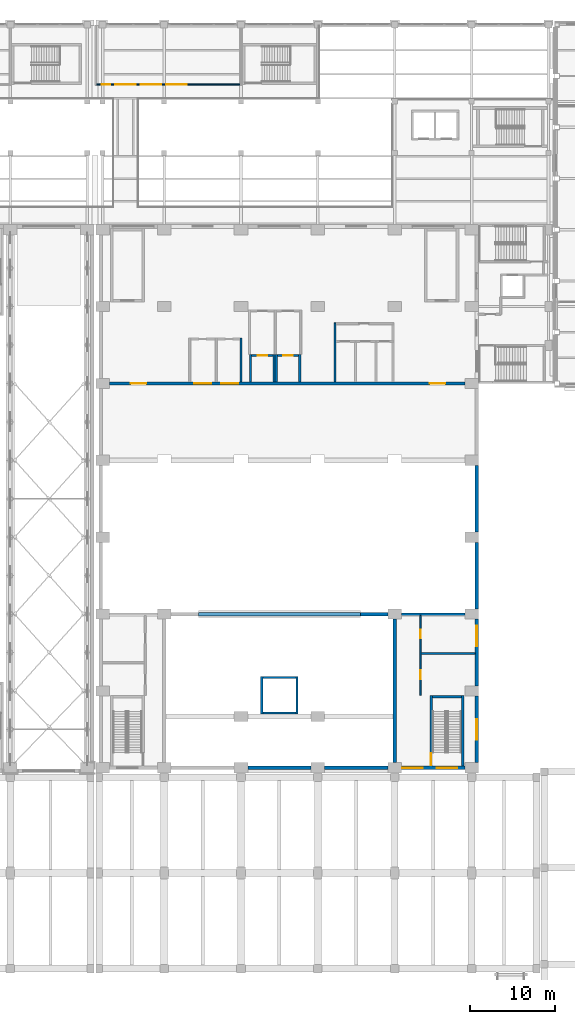
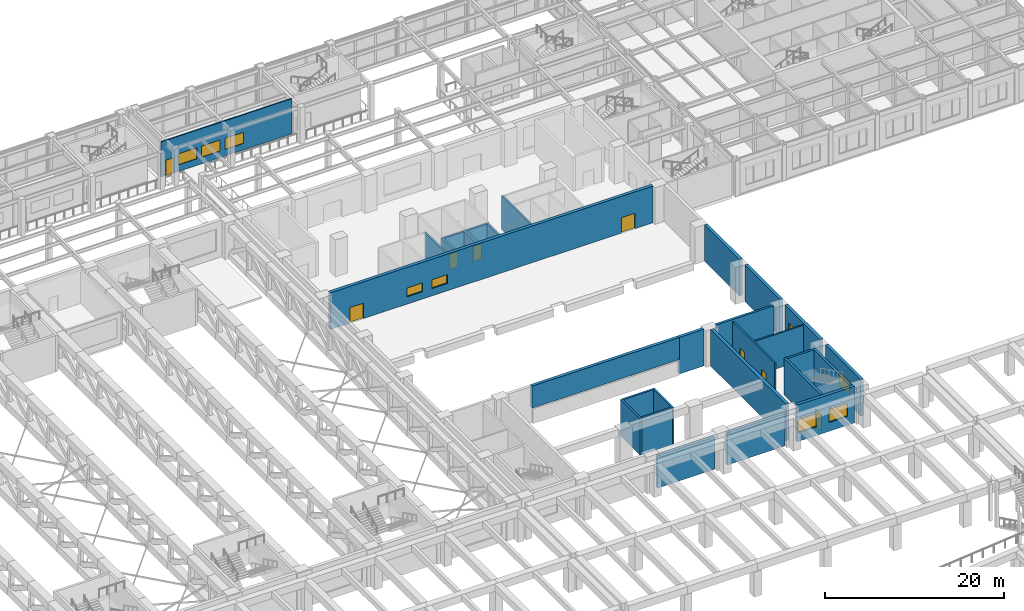
# One storey, part 38 of 76: 30 walls, 9 windows, 8 doors, 17 openings.
"""IFC4 building model written with IfcOpenShell, lengths in metres."""

from ifc_helpers import new_model, si_unit, direction, frame, frame_2d, origin, place, context, subcontext, project, spatial, rectangle, extrude, material, layer, layer_set, type_object, element, fill, save


model = new_model("IFC4")

# Units and contexts
model_context = context("Model", 3, precision=1e-05, world=origin(), true_north=direction((0.0, 1.0)))
body_context = subcontext(model_context, "Body", "Model", "MODEL_VIEW")
ifc_project = project(units=[si_unit("LENGTHUNIT", "METRE"), si_unit("AREAUNIT", "SQUARE_METRE"), si_unit("VOLUMEUNIT", "CUBIC_METRE"), si_unit("PLANEANGLEUNIT", "RADIAN"), si_unit("MASSUNIT", "GRAM", prefix="KILO")], contexts=[model_context])

# Site, building, storey
site_placement = place(None, origin())
site = spatial("IfcSite", under=ifc_project, at=site_placement, CompositionType="ELEMENT")
building_placement = place(site_placement, origin())
building = spatial("IfcBuilding", under=site, at=building_placement, Name="Aravalli Gate Trade Fair Centre", CompositionType="ELEMENT")
storey_placement = place(building_placement, frame((0.0, 0.0, 10.0)))
storey = spatial("IfcBuildingStorey", under=building, at=storey_placement, Name="L02", CompositionType="ELEMENT", Elevation=10.0)

# Walls
ifc_material_1 = material(Name="Concrete M40", Category="concrete")
ifc_layer_1 = layer(ifc_material_1, 0.25)
ifc_layer_set_1 = layer_set([ifc_layer_1], Name="Concrete M40")
wall_type_1 = type_object("IfcWallType", Name="Congress RC wall 250 shaft", PredefinedType="SHEAR", material=ifc_layer_set_1)
for number, where, z_axis, x_axis, name in (
    (1, (125.425048828125, 52.300048828125, 0.0), (0.0, 0.0, 1.0), (0.0, 1.0, 0.0), "Goods lift shaft wall W L02"),
    (2, (129.574951171875, 52.300048828125, 0.0), (0.0, 0.0, 1.0), (0.0, 1.0, 0.0), "Goods lift shaft wall E L02"),
):
    element("IfcWall", number, at=place(storey_placement, frame(where, z_axis=z_axis, x_axis=x_axis)), inside=storey, type_object=wall_type_1, Name=name, PredefinedType="SHEAR", context=body_context, shape_type="SweptSolid", body=[
        extrude(rectangle(XDim=4.39990234375, YDim=0.25, at=frame_2d((2.199951171875, 0.0))), origin(), (0.0, 0.0, 1.0), 5.0),
    ])
for number, where, z_axis, x_axis, name in (
    (3, (125.550048828125, 52.425048828125, 0.0), (0.0, 0.0, 1.0), (1.0, 0.0, 0.0), "Goods lift shaft wall F L02"),
    (4, (125.550048828125, 56.574951171875, 0.0), (0.0, 0.0, 1.0), (1.0, 0.0, 0.0), "Goods lift shaft wall N L02"),
):
    element("IfcWall", number, at=place(storey_placement, frame(where, z_axis=z_axis, x_axis=x_axis)), inside=storey, type_object=wall_type_1, Name=name, PredefinedType="SHEAR", context=body_context, shape_type="SweptSolid", body=[
        extrude(rectangle(XDim=3.89990234375, YDim=0.25, at=frame_2d((1.949951171875, 0.0))), origin(), (0.0, 0.0, 1.0), 5.0),
    ])
for number, where, z_axis, x_axis, name in (
    (5, (124.125, 91.199951171875, 0.0), (0.0, 0.0, 1.0), (0.0, 1.0, 0.0), "Lift GL1 shaft wall W L02"),
    (6, (126.875, 91.199951171875, 0.0), (0.0, 0.0, 1.0), (0.0, 1.0, 0.0), "Lift GL1 shaft wall E L02"),
):
    element("IfcWall", number, at=place(storey_placement, frame(where, z_axis=z_axis, x_axis=x_axis)), inside=storey, type_object=wall_type_1, Name=name, PredefinedType="SHEAR", context=body_context, shape_type="SweptSolid", body=[
        extrude(rectangle(XDim=3.199951171875, YDim=0.25, at=frame_2d((1.60009765625, 0.0))), origin(), (0.0, 0.0, 1.0), 4.60009765625),
    ])

# Wall, opening, door
wall_1_placement = place(storey_placement, frame((124.25, 94.27490234375, 0.0), z_axis=(0.0, 0.0, 1.0), x_axis=(1.0, 0.0, 0.0)))
wall_1 = element("IfcWall", 7, at=wall_1_placement, inside=storey, type_object=wall_type_1, Name="Lift GL1 shaft wall F L02", PredefinedType="SHEAR", context=body_context, shape_type="SweptSolid", body=[
    extrude(rectangle(XDim=2.5, YDim=0.25, at=frame_2d((1.25, 0.0))), origin(), (0.0, 0.0, 1.0), 4.60009765625),
])
opening_1_placement = place(wall_1_placement, frame((0.699951171875, 0.0, 0.0)))
opening_1 = element("IfcOpeningElement", 8, at=opening_1_placement, cuts=wall_1, Name="Opening G-L02-09", PredefinedType="OPENING", context=body_context, shape_type="SweptSolid", body=[
    extrude(rectangle(XDim=1.10009765625, YDim=2.10009765625, at=frame_2d((0.550048828125, 1.050048828125))), frame((0.0, 0.135009765625, 0.0), z_axis=(0.0, -1.0, 0.0), x_axis=(1.0, 0.0, 0.0)), (0.0, 0.0, 1.0), 0.27001953125),
])
ifc_material_2 = material(Name="Elevator door panels")
door_type_1 = type_object("IfcDoorType", Name="Congress lift landing door 1100 x 2100", OperationType="SLIDING_TO_LEFT", PredefinedType="DOOR", material=ifc_material_2)
door_1_placement = place(opening_1_placement, origin())
door_1 = element("IfcDoor", 9, at=door_1_placement, inside=storey, type_object=door_type_1, Name="Lift GL1 landing door G-L02-09", OperationType="SLIDING_TO_LEFT", OverallHeight=2.10009765625, OverallWidth=1.10009765625, PredefinedType="DOOR", context=body_context, shape_type="SweptSolid", body=[
    extrude(rectangle(XDim=1.10009765625, YDim=2.10009765625, at=frame_2d((0.550048828125, 1.050048828125))), frame((0.0, 0.02490234375, 0.0), z_axis=(0.0, -1.0, 0.0), x_axis=(1.0, 0.0, 0.0)), (0.0, 0.0, 1.0), 0.050048828125),
])
fill(opening_1, door_1)

# Walls
for number, where, z_axis, x_axis, name in (
    (10, (127.125, 91.199951171875, 0.0), (0.0, 0.0, 1.0), (0.0, 1.0, 0.0), "Lift GL2 shaft wall W L02"),
    (11, (129.875, 91.199951171875, 0.0), (0.0, 0.0, 1.0), (0.0, 1.0, 0.0), "Lift GL2 shaft wall E L02"),
):
    element("IfcWall", number, at=place(storey_placement, frame(where, z_axis=z_axis, x_axis=x_axis)), inside=storey, type_object=wall_type_1, Name=name, PredefinedType="SHEAR", context=body_context, shape_type="SweptSolid", body=[
        extrude(rectangle(XDim=3.199951171875, YDim=0.25, at=frame_2d((1.60009765625, 0.0))), origin(), (0.0, 0.0, 1.0), 4.60009765625),
    ])

# Wall, opening, door
wall_2_placement = place(storey_placement, frame((127.25, 94.27490234375, 0.0), z_axis=(0.0, 0.0, 1.0), x_axis=(1.0, 0.0, 0.0)))
wall_2 = element("IfcWall", 12, at=wall_2_placement, inside=storey, type_object=wall_type_1, Name="Lift GL2 shaft wall F L02", PredefinedType="SHEAR", context=body_context, shape_type="SweptSolid", body=[
    extrude(rectangle(XDim=2.5, YDim=0.25, at=frame_2d((1.25, 0.0))), origin(), (0.0, 0.0, 1.0), 4.60009765625),
])
opening_2_placement = place(wall_2_placement, frame((0.699951171875, 0.0, 0.0)))
opening_2 = element("IfcOpeningElement", 13, at=opening_2_placement, cuts=wall_2, Name="Opening G-L02-10", PredefinedType="OPENING", context=body_context, shape_type="SweptSolid", body=[
    extrude(rectangle(XDim=1.10009765625, YDim=2.10009765625, at=frame_2d((0.550048828125, 1.050048828125))), frame((0.0, 0.135009765625, 0.0), z_axis=(0.0, -1.0, 0.0), x_axis=(1.0, 0.0, 0.0)), (0.0, 0.0, 1.0), 0.27001953125),
])
door_2_placement = place(opening_2_placement, origin())
door_2 = element("IfcDoor", 14, at=door_2_placement, inside=storey, type_object=door_type_1, Name="Lift GL2 landing door G-L02-10", OperationType="SLIDING_TO_LEFT", OverallHeight=2.10009765625, OverallWidth=1.10009765625, PredefinedType="DOOR", context=body_context, shape_type="SweptSolid", body=[
    extrude(rectangle(XDim=1.10009765625, YDim=2.10009765625, at=frame_2d((0.550048828125, 1.050048828125))), frame((0.0, 0.02490234375, 0.0), z_axis=(0.0, -1.0, 0.0), x_axis=(1.0, 0.0, 0.0)), (0.0, 0.0, 1.0), 0.050048828125),
])
fill(opening_2, door_2)

# Wall
ifc_layer_2 = layer(ifc_material_1, 0.300048828125)
ifc_layer_set_2 = layer_set([ifc_layer_2], Name="Concrete M40")
wall_type_2 = type_object("IfcWallType", Name="Congress RC wall 300", PredefinedType="SHEAR", material=ifc_layer_set_2)
wall_3_placement = place(storey_placement, frame((141.800048828125, 64.0, 0.0), z_axis=(0.0, 0.0, 1.0), x_axis=(1.0, 0.0, 0.0)))
element("IfcWall", 15, at=wall_3_placement, inside=storey, type_object=wall_type_2, Name="Stage wing north wall E L02", PredefinedType="SHEAR", context=body_context, shape_type="SweptSolid", body=[
    extrude(rectangle(XDim=7.39990234375, YDim=0.300048828125, at=frame_2d((3.699951171875, 0.0))), origin(), (0.0, 0.0, 1.0), 5.0),
])

# Wall, opening, door
wall_4_placement = place(storey_placement, frame((145.25, 46.199951171875, 0.0), z_axis=(0.0, 0.0, 1.0), x_axis=(0.0, 1.0, 0.0)))
wall_4 = element("IfcWall", 16, at=wall_4_placement, inside=storey, type_object=wall_type_2, Name="Stage Stair East wall W L02", PredefinedType="SHEAR", context=body_context, shape_type="SweptSolid", body=[
    extrude(rectangle(XDim=8.300048828125, YDim=0.300048828125, at=frame_2d((4.14990234375, 0.0))), origin(), (0.0, 0.0, 1.0), 5.0),
])
opening_3_placement = place(wall_4_placement, frame((0.0849609375, 0.0, 0.0)))
opening_3 = element("IfcOpeningElement", 17, at=opening_3_placement, cuts=wall_4, Name="Opening G-L02-06", PredefinedType="OPENING", context=body_context, shape_type="SweptSolid", body=[
    extrude(rectangle(XDim=1.449951171875, YDim=2.10009765625, at=frame_2d((0.72509765625, 1.050048828125))), frame((0.0, 0.159912109375, 0.0), z_axis=(0.0, -1.0, 0.0), x_axis=(1.0, 0.0, 0.0)), (0.0, 0.0, 1.0), 0.320068359375),
])
ifc_material_3 = material(Name="Steel, fire rated", Category="steel")
door_type_2 = type_object("IfcDoorType", Name="Congress fire door FD120 1450 x 2100", OperationType="SINGLE_SWING_LEFT", PredefinedType="DOOR", material=ifc_material_3)
door_3_placement = place(opening_3_placement, frame((1.449951171875, 0.0, 0.0), z_axis=(0.0, 0.0, 1.0), x_axis=(-1.0, 0.0, 0.0)))
door_3 = element("IfcDoor", 18, at=door_3_placement, inside=storey, type_object=door_type_2, Name="Stage Stair East door L02", OperationType="SINGLE_SWING_RIGHT", OverallHeight=2.10009765625, OverallWidth=1.449951171875, PredefinedType="DOOR", context=body_context, shape_type="SweptSolid", body=[
    extrude(rectangle(XDim=1.449951171875, YDim=2.10009765625, at=frame_2d((0.72509765625, 1.050048828125))), frame((0.0, 0.02490234375, 0.0), z_axis=(0.0, -1.0, 0.0), x_axis=(1.0, 0.0, 0.0)), (0.0, 0.0, 1.0), 0.050048828125),
])
fill(opening_3, door_3)

# Walls
wall_5_placement = place(storey_placement, frame((148.949951171875, 46.199951171875, 0.0), z_axis=(0.0, 0.0, 1.0), x_axis=(0.0, 1.0, 0.0)))
element("IfcWall", 19, at=wall_5_placement, inside=storey, type_object=wall_type_2, Name="Stage Stair East wall E L02", PredefinedType="SHEAR", context=body_context, shape_type="SweptSolid", body=[
    extrude(rectangle(XDim=8.300048828125, YDim=0.300048828125, at=frame_2d((4.14990234375, 0.0))), origin(), (0.0, 0.0, 1.0), 5.0),
])
wall_6_placement = place(storey_placement, frame((145.39990234375, 54.35009765625, 0.0), z_axis=(0.0, 0.0, 1.0), x_axis=(1.0, 0.0, 0.0)))
element("IfcWall", 20, at=wall_6_placement, inside=storey, type_object=wall_type_2, Name="Stage Stair East wall N L02", PredefinedType="SHEAR", context=body_context, shape_type="SweptSolid", body=[
    extrude(rectangle(XDim=3.400146484375, YDim=0.300048828125, at=frame_2d((1.7001953125, 0.0))), origin(), (0.0, 0.0, 1.0), 5.0),
])

# Wall, openings, windows, doors
ifc_layer_3 = layer(ifc_material_1, 0.39990234375)
ifc_layer_set_3 = layer_set([ifc_layer_3], Name="Concrete M40")
wall_type_3 = type_object("IfcWallType", Name="Congress RC wall 400", PredefinedType="SHEAR", material=ifc_layer_set_3)
wall_7_placement = place(storey_placement, frame((107.60009765625, 91.0, 0.0), z_axis=(0.0, 0.0, 1.0), x_axis=(1.0, 0.0, 0.0)))
wall_7 = element("IfcWall", 21, at=wall_7_placement, inside=storey, type_object=wall_type_3, Name="Auditorium rear wall L02", PredefinedType="SHEAR", context=body_context, shape_type="SweptSolid", body=[
    extrude(rectangle(XDim=41.599853515625, YDim=0.39990234375, at=frame_2d((20.7998046875, 0.0))), origin(), (0.0, 0.0, 1.0), 5.0),
])
opening_4_placement = place(wall_7_placement, frame((9.89990234375, 0.0, 1.0)))
opening_4 = element("IfcOpeningElement", 22, at=opening_4_placement, cuts=wall_7, Name="Opening GWN5", PredefinedType="OPENING", context=body_context, shape_type="SweptSolid", body=[
    extrude(rectangle(XDim=2.0, YDim=1.199951171875, at=frame_2d((1.0, 0.60009765625))), frame((0.0, 0.2099609375, 0.0), z_axis=(0.0, -1.0, 0.0), x_axis=(1.0, 0.0, 0.0)), (0.0, 0.0, 1.0), 0.419921875),
])
opening_5_placement = place(wall_7_placement, frame((13.10009765625, 0.0, 1.0)))
opening_5 = element("IfcOpeningElement", 23, at=opening_5_placement, cuts=wall_7, Name="Opening GWN5", PredefinedType="OPENING", context=body_context, shape_type="SweptSolid", body=[
    extrude(rectangle(XDim=2.0, YDim=1.199951171875, at=frame_2d((1.0, 0.60009765625))), frame((0.0, 0.2099609375, 0.0), z_axis=(0.0, -1.0, 0.0), x_axis=(1.0, 0.0, 0.0)), (0.0, 0.0, 1.0), 0.419921875),
])
opening_6_placement = place(wall_7_placement, frame((2.5, 0.0, 0.0)))
opening_6 = element("IfcOpeningElement", 24, at=opening_6_placement, cuts=wall_7, Name="Opening G-L02-19", PredefinedType="OPENING", context=body_context, shape_type="SweptSolid", body=[
    extrude(rectangle(XDim=1.800048828125, YDim=2.10009765625, at=frame_2d((0.89990234375, 1.050048828125))), frame((0.0, 0.2099609375, 0.0), z_axis=(0.0, -1.0, 0.0), x_axis=(1.0, 0.0, 0.0)), (0.0, 0.0, 1.0), 0.419921875),
])
opening_7_placement = place(wall_7_placement, frame((37.5, 0.0, 0.0)))
opening_7 = element("IfcOpeningElement", 25, at=opening_7_placement, cuts=wall_7, Name="Opening G-L02-20", PredefinedType="OPENING", context=body_context, shape_type="SweptSolid", body=[
    extrude(rectangle(XDim=1.800048828125, YDim=2.10009765625, at=frame_2d((0.89990234375, 1.050048828125))), frame((0.0, 0.2099609375, 0.0), z_axis=(0.0, -1.0, 0.0), x_axis=(1.0, 0.0, 0.0)), (0.0, 0.0, 1.0), 0.419921875),
])
ifc_material_4 = material(Name="Aluminium and glass", Category="aluminium")
window_type_1 = type_object("IfcWindowType", Name="Congress booth window 2000 x 1200", PartitioningType="SINGLE_PANEL", PredefinedType="WINDOW", material=ifc_material_4)
window_1_placement = place(opening_4_placement, origin())
window_1 = element("IfcWindow", 26, at=window_1_placement, inside=storey, type_object=window_type_1, Name="Interpreters booth 1 window", OverallHeight=1.199951171875, OverallWidth=2.0, PartitioningType="SINGLE_PANEL", PredefinedType="WINDOW", context=body_context, shape_type="SweptSolid", body=[
    extrude(rectangle(XDim=2.0, YDim=1.199951171875, at=frame_2d((1.0, 0.60009765625))), frame((0.0, 0.030029296875, 0.0), z_axis=(0.0, -1.0, 0.0), x_axis=(1.0, 0.0, 0.0)), (0.0, 0.0, 1.0), 0.06005859375),
])
fill(opening_4, window_1)
window_2_placement = place(opening_5_placement, origin())
window_2 = element("IfcWindow", 27, at=window_2_placement, inside=storey, type_object=window_type_1, Name="Interpreters booth 2 window", OverallHeight=1.199951171875, OverallWidth=2.0, PartitioningType="SINGLE_PANEL", PredefinedType="WINDOW", context=body_context, shape_type="SweptSolid", body=[
    extrude(rectangle(XDim=2.0, YDim=1.199951171875, at=frame_2d((1.0, 0.60009765625))), frame((0.0, 0.030029296875, 0.0), z_axis=(0.0, -1.0, 0.0), x_axis=(1.0, 0.0, 0.0)), (0.0, 0.0, 1.0), 0.06005859375),
])
fill(opening_5, window_2)
door_type_3 = type_object("IfcDoorType", Name="Congress fire door FD120 1800 x 2100 double door single swing", OperationType="DOUBLE_DOOR_SINGLE_SWING", PredefinedType="DOOR", material=ifc_material_3)
door_4_placement = place(opening_6_placement, frame((1.800048828125, 0.0, 0.0), z_axis=(0.0, 0.0, 1.0), x_axis=(-1.0, 0.0, 0.0)))
door_4 = element("IfcDoor", 28, at=door_4_placement, inside=storey, type_object=door_type_3, Name="Auditorium rear door L02 1", OperationType="DOUBLE_DOOR_SINGLE_SWING", OverallHeight=2.10009765625, OverallWidth=1.800048828125, PredefinedType="DOOR", context=body_context, shape_type="SweptSolid", body=[
    extrude(rectangle(XDim=1.800048828125, YDim=2.10009765625, at=frame_2d((0.89990234375, 1.050048828125))), frame((0.0, 0.02490234375, 0.0), z_axis=(0.0, -1.0, 0.0), x_axis=(1.0, 0.0, 0.0)), (0.0, 0.0, 1.0), 0.050048828125),
])
fill(opening_6, door_4)
door_5_placement = place(opening_7_placement, origin())
door_5 = element("IfcDoor", 29, at=door_5_placement, inside=storey, type_object=door_type_3, Name="Auditorium rear door L02 2", OperationType="DOUBLE_DOOR_SINGLE_SWING", OverallHeight=2.10009765625, OverallWidth=1.800048828125, PredefinedType="DOOR", context=body_context, shape_type="SweptSolid", body=[
    extrude(rectangle(XDim=1.800048828125, YDim=2.10009765625, at=frame_2d((0.89990234375, 1.050048828125))), frame((0.0, 0.02490234375, 0.0), z_axis=(0.0, -1.0, 0.0), x_axis=(1.0, 0.0, 0.0)), (0.0, 0.0, 1.0), 0.050048828125),
])
fill(opening_7, door_5)

# Walls
wall_8_placement = place(storey_placement, frame((141.0, 46.60009765625, 0.0), z_axis=(0.0, 0.0, 1.0), x_axis=(0.0, 1.0, 0.0)))
element("IfcWall", 30, at=wall_8_placement, inside=storey, type_object=wall_type_3, Name="Stage house wall line 141 L02", PredefinedType="SHEAR", context=body_context, shape_type="SweptSolid", body=[
    extrude(rectangle(XDim=16.7998046875, YDim=0.39990234375, at=frame_2d((8.39990234375, 0.0))), origin(), (0.0, 0.0, 1.0), 5.0),
])
wall_9_placement = place(storey_placement, frame((137.0, 64.0, 0.0), z_axis=(0.0, 0.0, 1.0), x_axis=(1.0, 0.0, 0.0)))
element("IfcWall", 31, at=wall_9_placement, inside=storey, type_object=wall_type_3, Name="Proscenium wall E L02", PredefinedType="SHEAR", context=body_context, shape_type="SweptSolid", body=[
    extrude(rectangle(XDim=3.199951171875, YDim=0.39990234375, at=frame_2d((1.60009765625, 0.0))), origin(), (0.0, 0.0, 1.0), 5.0),
])
wall_10_placement = place(storey_placement, frame((118.0, 64.0, 2.0), z_axis=(0.0, 0.0, 1.0), x_axis=(1.0, 0.0, 0.0)))
element("IfcWall", 32, at=wall_10_placement, inside=storey, type_object=wall_type_3, Name="Proscenium wall above the opening L02", PredefinedType="SHEAR", context=body_context, shape_type="SweptSolid", body=[
    extrude(rectangle(XDim=19.0, YDim=0.39990234375, at=frame_2d((9.5, 0.0))), origin(), (0.0, 0.0, 1.0), 3.0),
])

# Wall, opening, window
ifc_layer_4 = layer(ifc_material_1, 0.25, Name="Structural wall")
ifc_material_5 = material(Name="Ventilated air cavity")
ifc_layer_5 = layer(ifc_material_5, 0.050048828125, ventilated=True, Name="Ventilated cavity")
ifc_material_6 = material(Name="Terracotta rainscreen", Category="masonry")
ifc_layer_6 = layer(ifc_material_6, 0.10009765625, Name="Rainscreen cladding")
ifc_layer_set_4 = layer_set([ifc_layer_4, ifc_layer_5, ifc_layer_6], Name="Congress external wall 400")
wall_type_4 = type_object("IfcWallType", Name="Congress external wall 400", PredefinedType="SOLIDWALL", material=ifc_layer_set_4)
wall_11_placement = place(storey_placement, frame((150.60009765625, 46.60009765625, 0.0), z_axis=(0.0, 0.0, 1.0), x_axis=(0.0, 1.0, 0.0)))
wall_11 = element("IfcWall", 33, at=wall_11_placement, inside=storey, type_object=wall_type_4, Name="East wall L02 bay 1", PredefinedType="SOLIDWALL", context=body_context, shape_type="SweptSolid", body=[
    extrude(rectangle(XDim=7.7998046875, YDim=0.39990234375, at=frame_2d((3.89990234375, 0.0))), origin(), (0.0, 0.0, 1.0), 5.0),
])
opening_8_placement = place(wall_11_placement, frame((2.699951171875, 0.0, 1.199951171875)))
opening_8 = element("IfcOpeningElement", 34, at=opening_8_placement, cuts=wall_11, Name="Opening GWN4", PredefinedType="OPENING", context=body_context, shape_type="SweptSolid", body=[
    extrude(rectangle(XDim=2.39990234375, YDim=1.800048828125, at=frame_2d((1.199951171875, 0.89990234375))), frame((0.0, 0.2099609375, 0.0), z_axis=(0.0, -1.0, 0.0), x_axis=(1.0, 0.0, 0.0)), (0.0, 0.0, 1.0), 0.419921875),
])
window_type_2 = type_object("IfcWindowType", Name="Congress wing window 2400 x 1800", PartitioningType="DOUBLE_PANEL_VERTICAL", PredefinedType="WINDOW", material=ifc_material_4)
window_3_placement = place(opening_8_placement, origin())
window_3 = element("IfcWindow", 35, at=window_3_placement, inside=storey, type_object=window_type_2, Name="East window L02 bay 1", OverallHeight=1.800048828125, OverallWidth=2.39990234375, PartitioningType="SINGLE_PANEL", PredefinedType="WINDOW", context=body_context, shape_type="SweptSolid", body=[
    extrude(rectangle(XDim=2.39990234375, YDim=1.800048828125, at=frame_2d((1.199951171875, 0.89990234375))), frame((0.0, 0.030029296875, 0.0), z_axis=(0.0, -1.0, 0.0), x_axis=(1.0, 0.0, 0.0)), (0.0, 0.0, 1.0), 0.06005859375),
])
fill(opening_8, window_3)

wall_12_placement = place(storey_placement, frame((150.60009765625, 55.60009765625, 0.0), z_axis=(0.0, 0.0, 1.0), x_axis=(0.0, 1.0, 0.0)))
wall_12 = element("IfcWall", 36, at=wall_12_placement, inside=storey, type_object=wall_type_4, Name="East wall L02 bay 2", PredefinedType="SOLIDWALL", context=body_context, shape_type="SweptSolid", body=[
    extrude(rectangle(XDim=7.7998046875, YDim=0.39990234375, at=frame_2d((3.89990234375, 0.0))), origin(), (0.0, 0.0, 1.0), 5.0),
])
opening_9_placement = place(wall_12_placement, frame((4.64990234375, 0.0, 1.199951171875)))
opening_9 = element("IfcOpeningElement", 37, at=opening_9_placement, cuts=wall_12, Name="Opening GWN4", PredefinedType="OPENING", context=body_context, shape_type="SweptSolid", body=[
    extrude(rectangle(XDim=2.39990234375, YDim=1.800048828125, at=frame_2d((1.199951171875, 0.89990234375))), frame((0.0, 0.2099609375, 0.0), z_axis=(0.0, -1.0, 0.0), x_axis=(1.0, 0.0, 0.0)), (0.0, 0.0, 1.0), 0.419921875),
])
window_4_placement = place(opening_9_placement, origin())
window_4 = element("IfcWindow", 38, at=window_4_placement, inside=storey, type_object=window_type_2, Name="East window L02 bay 2", OverallHeight=1.800048828125, OverallWidth=2.39990234375, PartitioningType="SINGLE_PANEL", PredefinedType="WINDOW", context=body_context, shape_type="SweptSolid", body=[
    extrude(rectangle(XDim=2.39990234375, YDim=1.800048828125, at=frame_2d((1.199951171875, 0.89990234375))), frame((0.0, 0.030029296875, 0.0), z_axis=(0.0, -1.0, 0.0), x_axis=(1.0, 0.0, 0.0)), (0.0, 0.0, 1.0), 0.06005859375),
])
fill(opening_9, window_4)

# Walls
for number, where, z_axis, x_axis, name in (
    (39, (150.60009765625, 64.60009765625, 0.0), (0.0, 0.0, 1.0), (0.0, 1.0, 0.0), "East wall L02 bay 3"),
    (40, (150.60009765625, 73.60009765625, 0.0), (0.0, 0.0, 1.0), (0.0, 1.0, 0.0), "East wall L02 bay 4"),
):
    element("IfcWall", number, at=place(storey_placement, frame(where, z_axis=z_axis, x_axis=x_axis)), inside=storey, type_object=wall_type_4, Name=name, PredefinedType="SOLIDWALL", context=body_context, shape_type="SweptSolid", body=[
        extrude(rectangle(XDim=7.7998046875, YDim=0.39990234375, at=frame_2d((3.89990234375, 0.0))), origin(), (0.0, 0.0, 1.0), 5.0),
    ])
for number, where, z_axis, x_axis, name in (
    (41, (123.800048828125, 46.0, 0.0), (0.0, 0.0, 1.0), (1.0, 0.0, 0.0), "South wall L02 bay 3"),
    (42, (132.800048828125, 46.0, 0.0), (0.0, 0.0, 1.0), (1.0, 0.0, 0.0), "South wall L02 bay 4"),
):
    element("IfcWall", number, at=place(storey_placement, frame(where, z_axis=z_axis, x_axis=x_axis)), inside=storey, type_object=wall_type_4, Name=name, PredefinedType="SOLIDWALL", context=body_context, shape_type="SweptSolid", body=[
        extrude(rectangle(XDim=7.39990234375, YDim=0.39990234375, at=frame_2d((3.699951171875, 0.0))), origin(), (0.0, 0.0, 1.0), 4.39990234375),
    ])

# Wall, openings, windows
wall_13_placement = place(storey_placement, frame((141.800048828125, 46.0, 0.0), z_axis=(0.0, 0.0, 1.0), x_axis=(1.0, 0.0, 0.0)))
wall_13 = element("IfcWall", 43, at=wall_13_placement, inside=storey, type_object=wall_type_4, Name="South wall L02 bay 5", PredefinedType="SOLIDWALL", context=body_context, shape_type="SweptSolid", body=[
    extrude(rectangle(XDim=7.39990234375, YDim=0.39990234375, at=frame_2d((3.699951171875, 0.0))), origin(), (0.0, 0.0, 1.0), 5.0),
])
opening_10_placement = place(wall_13_placement, frame((4.10009765625, 0.0, 1.199951171875)))
opening_10 = element("IfcOpeningElement", 44, at=opening_10_placement, cuts=wall_13, Name="Opening GWN4", PredefinedType="OPENING", context=body_context, shape_type="SweptSolid", body=[
    extrude(rectangle(XDim=2.39990234375, YDim=1.800048828125, at=frame_2d((1.199951171875, 0.89990234375))), frame((0.0, 0.2099609375, 0.0), z_axis=(0.0, -1.0, 0.0), x_axis=(1.0, 0.0, 0.0)), (0.0, 0.0, 1.0), 0.419921875),
])
opening_11_placement = place(wall_13_placement, frame((0.10009765625, 0.0, 1.199951171875)))
opening_11 = element("IfcOpeningElement", 45, at=opening_11_placement, cuts=wall_13, Name="Opening GWN4", PredefinedType="OPENING", context=body_context, shape_type="SweptSolid", body=[
    extrude(rectangle(XDim=2.39990234375, YDim=1.800048828125, at=frame_2d((1.199951171875, 0.89990234375))), frame((0.0, 0.2099609375, 0.0), z_axis=(0.0, -1.0, 0.0), x_axis=(1.0, 0.0, 0.0)), (0.0, 0.0, 1.0), 0.419921875),
])
window_5_placement = place(opening_10_placement, origin())
window_5 = element("IfcWindow", 46, at=window_5_placement, inside=storey, type_object=window_type_2, Name="South window L02 bay 5", OverallHeight=1.800048828125, OverallWidth=2.39990234375, PartitioningType="SINGLE_PANEL", PredefinedType="WINDOW", context=body_context, shape_type="SweptSolid", body=[
    extrude(rectangle(XDim=2.39990234375, YDim=1.800048828125, at=frame_2d((1.199951171875, 0.89990234375))), frame((0.0, 0.030029296875, 0.0), z_axis=(0.0, -1.0, 0.0), x_axis=(1.0, 0.0, 0.0)), (0.0, 0.0, 1.0), 0.06005859375),
])
fill(opening_10, window_5)
window_6_placement = place(opening_11_placement, origin())
window_6 = element("IfcWindow", 47, at=window_6_placement, inside=storey, type_object=window_type_2, Name="South window L02 bay 5", OverallHeight=1.800048828125, OverallWidth=2.39990234375, PartitioningType="SINGLE_PANEL", PredefinedType="WINDOW", context=body_context, shape_type="SweptSolid", body=[
    extrude(rectangle(XDim=2.39990234375, YDim=1.800048828125, at=frame_2d((1.199951171875, 0.89990234375))), frame((0.0, 0.030029296875, 0.0), z_axis=(0.0, -1.0, 0.0), x_axis=(1.0, 0.0, 0.0)), (0.0, 0.0, 1.0), 0.06005859375),
])
fill(opening_11, window_6)

# Walls
ifc_material_7 = material(Name="Concrete block masonry", Category="masonry")
ifc_layer_7 = layer(ifc_material_7, 0.199951171875)
ifc_layer_set_5 = layer_set([ifc_layer_7], Name="Concrete block masonry")
wall_type_5 = type_object("IfcWallType", Name="Congress partition 200", PredefinedType="PARTITIONING", material=ifc_layer_set_5)
wall_14_placement = place(storey_placement, frame((134.0, 91.199951171875, 0.0), z_axis=(0.0, 0.0, 1.0), x_axis=(0.0, 1.0, 0.0)))
element("IfcWall", 48, at=wall_14_placement, inside=storey, type_object=wall_type_5, Name="WC block wall W L02", PredefinedType="PARTITIONING", context=body_context, shape_type="SweptSolid", body=[
    extrude(rectangle(XDim=6.900146484375, YDim=0.199951171875, at=frame_2d((3.4501953125, 0.0))), origin(), (0.0, 0.0, 1.0), 4.60009765625),
])
wall_15_placement = place(storey_placement, frame((123.0, 91.199951171875, 0.0), z_axis=(0.0, 0.0, 1.0), x_axis=(0.0, 1.0, 0.0)))
element("IfcWall", 49, at=wall_15_placement, inside=storey, type_object=wall_type_5, Name="Interpreters booth wall 3", PredefinedType="PARTITIONING", context=body_context, shape_type="SweptSolid", body=[
    extrude(rectangle(XDim=5.10009765625, YDim=0.199951171875, at=frame_2d((2.550048828125, 0.0))), origin(), (0.0, 0.0, 1.0), 4.60009765625),
])

# Wall, openings, doors
wall_16_placement = place(storey_placement, frame((144.0, 54.5, 0.0), z_axis=(0.0, 0.0, 1.0), x_axis=(0.0, 1.0, 0.0)))
wall_16 = element("IfcWall", 50, at=wall_16_placement, inside=storey, type_object=wall_type_5, Name="Wing partition E L02", PredefinedType="PARTITIONING", context=body_context, shape_type="SweptSolid", body=[
    extrude(rectangle(XDim=9.35009765625, YDim=0.199951171875, at=frame_2d((4.675048828125, 0.0))), origin(), (0.0, 0.0, 1.0), 4.699951171875),
])
opening_12_placement = place(wall_16_placement, frame((1.89990234375, 0.0, 0.0)))
opening_12 = element("IfcOpeningElement", 51, at=opening_12_placement, cuts=wall_16, Name="Opening G-L02-23", PredefinedType="OPENING", context=body_context, shape_type="SweptSolid", body=[
    extrude(rectangle(XDim=1.0, YDim=2.10009765625, at=frame_2d((0.5, 1.050048828125))), frame((0.0, 0.10986328125, 0.0), z_axis=(0.0, -1.0, 0.0), x_axis=(1.0, 0.0, 0.0)), (0.0, 0.0, 1.0), 0.219970703125),
])
opening_13_placement = place(wall_16_placement, frame((6.675048828125, 0.0, 0.0)))
opening_13 = element("IfcOpeningElement", 52, at=opening_13_placement, cuts=wall_16, Name="Opening G-L02-24", PredefinedType="OPENING", context=body_context, shape_type="SweptSolid", body=[
    extrude(rectangle(XDim=1.0, YDim=2.10009765625, at=frame_2d((0.5, 1.050048828125))), frame((0.0, 0.10986328125, 0.0), z_axis=(0.0, -1.0, 0.0), x_axis=(1.0, 0.0, 0.0)), (0.0, 0.0, 1.0), 0.219970703125),
])
door_type_4 = type_object("IfcDoorType", Name="Congress fire door FD60 1000 x 2100", OperationType="SINGLE_SWING_LEFT", PredefinedType="DOOR", material=ifc_material_3)
door_6_placement = place(opening_12_placement, frame((1.0, 0.0, 0.0), z_axis=(0.0, 0.0, 1.0), x_axis=(-1.0, 0.0, 0.0)))
door_6 = element("IfcDoor", 53, at=door_6_placement, inside=storey, type_object=door_type_4, Name="Wing room door E L02 a", OperationType="SINGLE_SWING_LEFT", OverallHeight=2.10009765625, OverallWidth=1.0, PredefinedType="DOOR", context=body_context, shape_type="SweptSolid", body=[
    extrude(rectangle(XDim=1.0, YDim=2.10009765625, at=frame_2d((0.5, 1.050048828125))), frame((0.0, 0.02490234375, 0.0), z_axis=(0.0, -1.0, 0.0), x_axis=(1.0, 0.0, 0.0)), (0.0, 0.0, 1.0), 0.050048828125),
])
fill(opening_12, door_6)
door_7_placement = place(opening_13_placement, frame((1.0, 0.0, 0.0), z_axis=(0.0, 0.0, 1.0), x_axis=(-1.0, 0.0, 0.0)))
door_7 = element("IfcDoor", 54, at=door_7_placement, inside=storey, type_object=door_type_4, Name="Wing room door E L02 b", OperationType="SINGLE_SWING_RIGHT", OverallHeight=2.10009765625, OverallWidth=1.0, PredefinedType="DOOR", context=body_context, shape_type="SweptSolid", body=[
    extrude(rectangle(XDim=1.0, YDim=2.10009765625, at=frame_2d((0.5, 1.050048828125))), frame((0.0, 0.02490234375, 0.0), z_axis=(0.0, -1.0, 0.0), x_axis=(1.0, 0.0, 0.0)), (0.0, 0.0, 1.0), 0.050048828125),
])
fill(opening_13, door_7)

# Wall
wall_17_placement = place(storey_placement, frame((144.10009765625, 59.39990234375, 0.0), z_axis=(0.0, 0.0, 1.0), x_axis=(1.0, 0.0, 0.0)))
element("IfcWall", 55, at=wall_17_placement, inside=storey, type_object=wall_type_5, Name="Wing room partition E L02", PredefinedType="PARTITIONING", context=body_context, shape_type="SweptSolid", body=[
    extrude(rectangle(XDim=6.2998046875, YDim=0.199951171875, at=frame_2d((3.14990234375, 0.0))), origin(), (0.0, 0.0, 1.0), 4.699951171875),
])

# Wall, openings, windows, door
ifc_material_8 = material(Name="Gypsum board")
ifc_layer_8 = layer(ifc_material_8, 0.02490234375, Name="Gypsum board lining")
ifc_material_9 = material(Name="Galvanised stud framing")
ifc_layer_9 = layer(ifc_material_9, 0.10009765625, Name="Stud framing")
ifc_layer_10 = layer(ifc_material_8, 0.02490234375, Name="Gypsum board lining")
ifc_layer_set_6 = layer_set([ifc_layer_8, ifc_layer_9, ifc_layer_10], Name="Partition wall 150")
wall_type_6 = type_object("IfcWallType", Name="Partition wall 150", PredefinedType="PARTITIONING", material=ifc_layer_set_6)
wall_18_placement = place(storey_placement, frame((106.074951171875, 126.0, 0.0), z_axis=(0.0, 0.0, 1.0), x_axis=(1.0, 0.0, 0.0)))
wall_18 = element("IfcWall", 56, at=wall_18_placement, inside=storey, type_object=wall_type_6, Name="Partition Meeting Room 5 south L02", PredefinedType="PARTITIONING", context=body_context, shape_type="SweptSolid", body=[
    extrude(rectangle(XDim=16.85009765625, YDim=0.14990234375, at=frame_2d((8.425048828125, 0.0))), origin(), (0.0, 0.0, 1.0), 4.800048828125),
])
opening_14_placement = place(wall_18_placement, frame((0.60009765625, 0.0, 0.0)))
opening_14 = element("IfcOpeningElement", 57, at=opening_14_placement, cuts=wall_18, Name="Opening C-L02-19", PredefinedType="OPENING", context=body_context, shape_type="SweptSolid", body=[
    extrude(rectangle(XDim=1.0, YDim=2.10009765625, at=frame_2d((0.5, 1.050048828125))), frame((0.0, 0.0849609375, 0.0), z_axis=(0.0, -1.0, 0.0), x_axis=(1.0, 0.0, 0.0)), (0.0, 0.0, 1.0), 0.169921875),
])
opening_15_placement = place(wall_18_placement, frame((2.199951171875, 0.0, 0.89990234375)))
opening_15 = element("IfcOpeningElement", 58, at=opening_15_placement, cuts=wall_18, Name="Opening WI1", PredefinedType="OPENING", context=body_context, shape_type="SweptSolid", body=[
    extrude(rectangle(XDim=2.39990234375, YDim=1.5, at=frame_2d((1.199951171875, 0.75))), frame((0.0, 0.0849609375, 0.0), z_axis=(0.0, -1.0, 0.0), x_axis=(1.0, 0.0, 0.0)), (0.0, 0.0, 1.0), 0.169921875),
])
opening_16_placement = place(wall_18_placement, frame((5.199951171875, 0.0, 0.89990234375)))
opening_16 = element("IfcOpeningElement", 59, at=opening_16_placement, cuts=wall_18, Name="Opening WI1", PredefinedType="OPENING", context=body_context, shape_type="SweptSolid", body=[
    extrude(rectangle(XDim=2.39990234375, YDim=1.5, at=frame_2d((1.199951171875, 0.75))), frame((0.0, 0.0849609375, 0.0), z_axis=(0.0, -1.0, 0.0), x_axis=(1.0, 0.0, 0.0)), (0.0, 0.0, 1.0), 0.169921875),
])
opening_17_placement = place(wall_18_placement, frame((8.199951171875, 0.0, 0.89990234375)))
opening_17 = element("IfcOpeningElement", 60, at=opening_17_placement, cuts=wall_18, Name="Opening WI1", PredefinedType="OPENING", context=body_context, shape_type="SweptSolid", body=[
    extrude(rectangle(XDim=2.39990234375, YDim=1.5, at=frame_2d((1.199951171875, 0.75))), frame((0.0, 0.0849609375, 0.0), z_axis=(0.0, -1.0, 0.0), x_axis=(1.0, 0.0, 0.0)), (0.0, 0.0, 1.0), 0.169921875),
])
ifc_material_10 = material(Name="Glass, fire rated", Category="glass")
window_type_3 = type_object("IfcWindowType", Name="Interior glazed screen 2400 x 1500", PartitioningType="SINGLE_PANEL", PredefinedType="WINDOW", material=ifc_material_10)
window_7_placement = place(opening_15_placement, origin())
window_7 = element("IfcWindow", 61, at=window_7_placement, inside=storey, type_object=window_type_3, Name="Interior window Meeting Room 5 1 L02", OverallHeight=1.5, OverallWidth=2.39990234375, PartitioningType="SINGLE_PANEL", PredefinedType="WINDOW", context=body_context, shape_type="SweptSolid", body=[
    extrude(rectangle(XDim=2.39990234375, YDim=1.5, at=frame_2d((1.199951171875, 0.75))), frame((0.0, 0.030029296875, 0.0), z_axis=(0.0, -1.0, 0.0), x_axis=(1.0, 0.0, 0.0)), (0.0, 0.0, 1.0), 0.06005859375),
])
fill(opening_15, window_7)
window_8_placement = place(opening_16_placement, origin())
window_8 = element("IfcWindow", 62, at=window_8_placement, inside=storey, type_object=window_type_3, Name="Interior window Meeting Room 5 2 L02", OverallHeight=1.5, OverallWidth=2.39990234375, PartitioningType="SINGLE_PANEL", PredefinedType="WINDOW", context=body_context, shape_type="SweptSolid", body=[
    extrude(rectangle(XDim=2.39990234375, YDim=1.5, at=frame_2d((1.199951171875, 0.75))), frame((0.0, 0.030029296875, 0.0), z_axis=(0.0, -1.0, 0.0), x_axis=(1.0, 0.0, 0.0)), (0.0, 0.0, 1.0), 0.06005859375),
])
fill(opening_16, window_8)
window_9_placement = place(opening_17_placement, origin())
window_9 = element("IfcWindow", 63, at=window_9_placement, inside=storey, type_object=window_type_3, Name="Interior window Meeting Room 5 3 L02", OverallHeight=1.5, OverallWidth=2.39990234375, PartitioningType="SINGLE_PANEL", PredefinedType="WINDOW", context=body_context, shape_type="SweptSolid", body=[
    extrude(rectangle(XDim=2.39990234375, YDim=1.5, at=frame_2d((1.199951171875, 0.75))), frame((0.0, 0.030029296875, 0.0), z_axis=(0.0, -1.0, 0.0), x_axis=(1.0, 0.0, 0.0)), (0.0, 0.0, 1.0), 0.06005859375),
])
fill(opening_17, window_9)
door_type_5 = type_object("IfcDoorType", Name="Room door 1000 x 2100", OperationType="SINGLE_SWING_RIGHT", PredefinedType="NOTDEFINED", material=ifc_material_3)
door_8_placement = place(opening_14_placement, origin())
door_8 = element("IfcDoor", 64, at=door_8_placement, inside=storey, type_object=door_type_5, Name="Door Meeting Room 5 L02", OperationType="SINGLE_SWING_LEFT", OverallHeight=2.10009765625, OverallWidth=1.0, PredefinedType="NOTDEFINED", context=body_context, shape_type="SweptSolid", body=[
    extrude(rectangle(XDim=1.0, YDim=2.10009765625, at=frame_2d((0.5, 1.050048828125))), frame((0.0, 0.02490234375, 0.0), z_axis=(0.0, -1.0, 0.0), x_axis=(1.0, 0.0, 0.0)), (0.0, 0.0, 1.0), 0.050048828125),
])
fill(opening_14, door_8)

save(model, "model.ifc")
